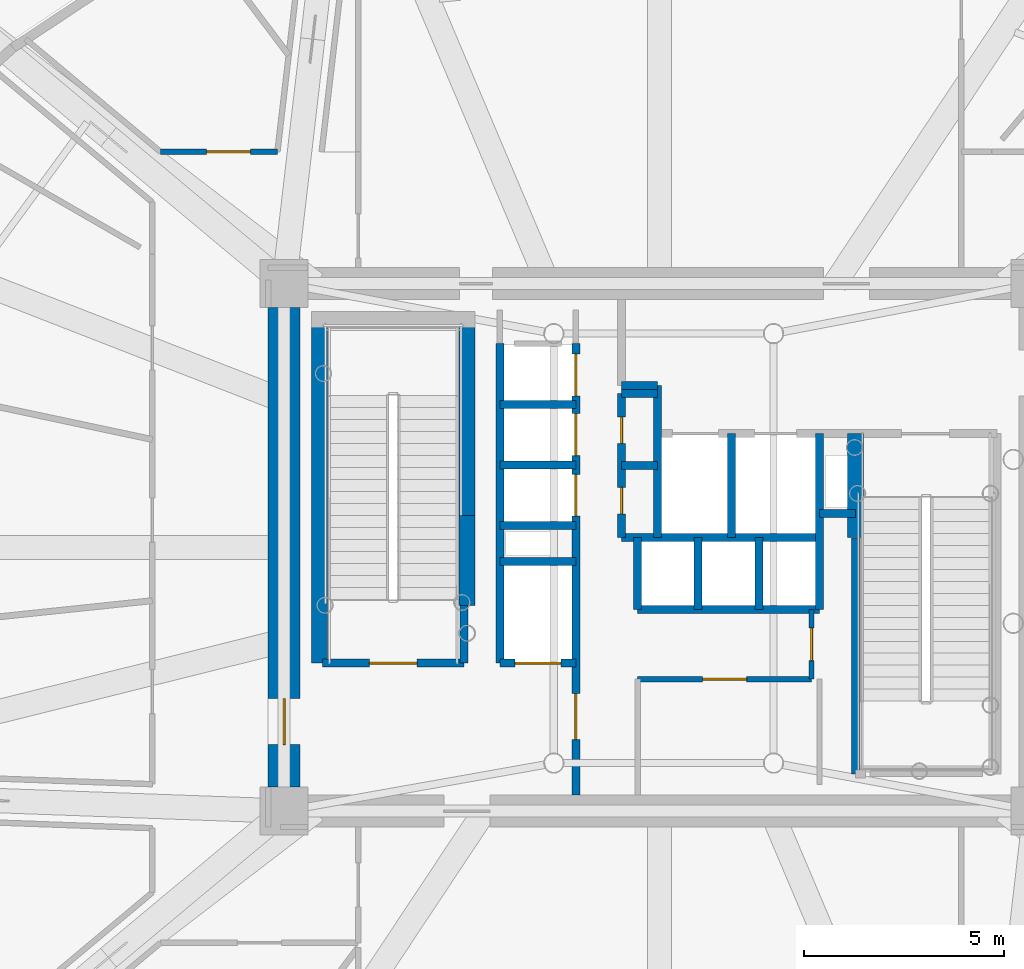
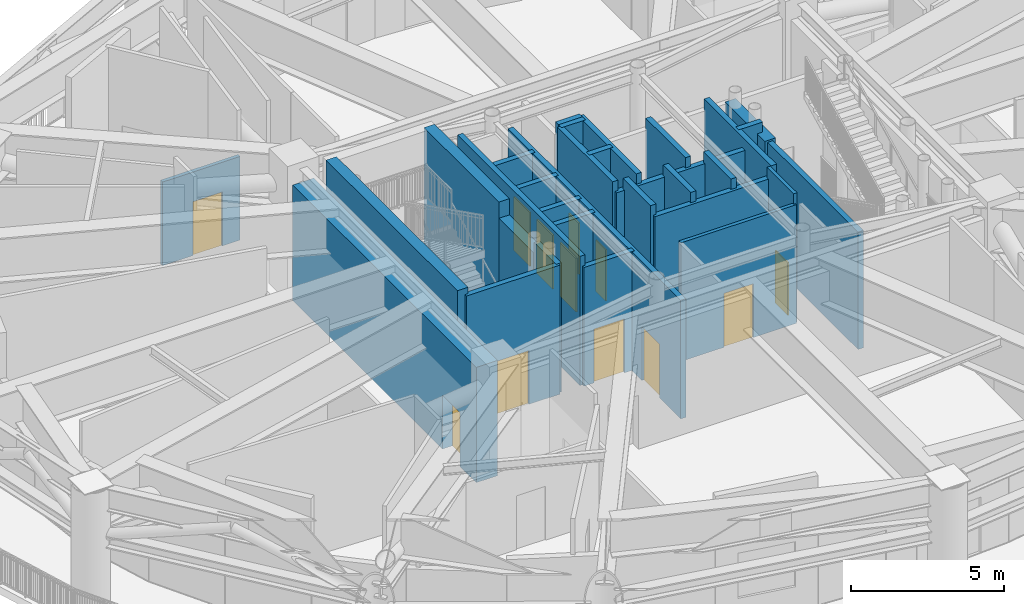
# One storey, part 11 of 20: 31 walls, 12 doors, 12 openings.
"""IFC4 building model written with IfcOpenShell, lengths in metres."""

from ifc_helpers import new_model, si_unit, direction, frame, frame_2d, origin, origin_2d, place, context, subcontext, project, spatial, rectangle, extrude, source, transform, mapped, material, layer, layer_set, type_object, element, fill, save


model = new_model("IFC4")

# Units and contexts
model_context = context("Model", 3, precision=1e-05, world=origin(), true_north=direction((0.0, 1.0)))
body_context = subcontext(model_context, "Body", "Model", "MODEL_VIEW")
ifc_project = project(units=[si_unit("LENGTHUNIT", "METRE"), si_unit("AREAUNIT", "SQUARE_METRE"), si_unit("VOLUMEUNIT", "CUBIC_METRE"), si_unit("PLANEANGLEUNIT", "RADIAN"), si_unit("MASSUNIT", "GRAM", prefix="KILO")], contexts=[model_context])

# Site, building, storey
site_placement = place(None, origin())
site = spatial("IfcSite", under=ifc_project, at=site_placement, CompositionType="ELEMENT")
building_placement = place(site_placement, origin())
building = spatial("IfcBuilding", under=site, at=building_placement, Name="Linh Dai School and Residence Tower", CompositionType="ELEMENT")
storey_placement = place(building_placement, frame((0.0, 0.0, 204.89990234375)))
storey = spatial("IfcBuildingStorey", under=building, at=storey_placement, Name="L50", CompositionType="ELEMENT", Elevation=204.89990234375)

# Wall, opening, door
ifc_material_1 = material(Name="Autoclaved Aerated Concrete Blockwork", Category="masonry")
ifc_layer_1 = layer(ifc_material_1, 0.135009765625)
ifc_layer_set_1 = layer_set([ifc_layer_1], Name="Autoclaved Aerated Concrete Blockwork")
wall_type_1 = type_object("IfcWallType", Name="IW-CORR-135-EI90", PredefinedType="PARTITIONING", material=ifc_layer_set_1)
wall_1_placement = place(storey_placement, frame((23.506103515625, 36.89990234375, 0.0), z_axis=(0.0, 0.0, 1.0), x_axis=(1.0, 0.0, 0.0)))
wall_1 = element("IfcWall", 1, at=wall_1_placement, inside=storey, type_object=wall_type_1, Name="L50 Interior Partition Wall 008", PredefinedType="PARTITIONING", context=body_context, shape_type="SweptSolid", body=[
    extrude(rectangle(XDim=2.9248046875, YDim=0.135009765625, at=frame_2d((1.46240234375, 0.0))), origin(), (0.0, 0.0, 1.0), 3.335205078125),
])
opening_1_placement = place(wall_1_placement, frame((1.150146484375, 0.0, 0.0)))
opening_1 = element("IfcOpeningElement", 2, at=opening_1_placement, cuts=wall_1, Name="Opening D07", PredefinedType="OPENING", context=body_context, shape_type="SweptSolid", body=[
    extrude(rectangle(XDim=1.10009765625, YDim=2.14990234375, at=origin_2d()), frame((0.550048828125, 0.07763671875, 1.074951171875), z_axis=(0.0, -1.0, 0.0), x_axis=(1.0, 0.0, 0.0)), (0.0, 0.0, 1.0), 0.155029296875),
])
ifc_material_2 = material(Name="Fire-Rated Louvred Steel Plant Door", Category="steel")
door_type_1 = type_object("IfcDoorType", Name="DR-PLT-1100x2150-FD60S", OperationType="NOTDEFINED", PredefinedType="DOOR", material=ifc_material_2)
shared_shape_1 = source(origin(), body_context, "Body", "SweptSolid", [
    extrude(rectangle(XDim=1.10009765625, YDim=2.14990234375, at=origin_2d()), frame((0.550048828125, 0.02490234375, 1.074951171875), z_axis=(0.0, -1.0, 0.0), x_axis=(1.0, 0.0, 0.0)), (0.0, 0.0, 1.0), 0.050048828125),
])
door_1_placement = place(opening_1_placement, origin())
door_1 = element("IfcDoor", 3, at=door_1_placement, inside=storey, type_object=door_type_1, Name="L50 Zone LV Switchboard Plant Room Door", OperationType="SINGLE_SWING_RIGHT", OverallHeight=2.14990234375, OverallWidth=1.10009765625, PredefinedType="DOOR", context=body_context, shape_type="MappedRepresentation", body=[
    mapped(shared_shape_1, transform((0.0, 0.0, 0.0), x_axis=(1.0, 0.0, 0.0), y_axis=(0.0, 1.0, 0.0), z_axis=(0.0, 0.0, 1.0), scale=1.0)),
])
fill(opening_1, door_1)

wall_2_placement = place(storey_placement, frame((35.449951171875, 23.699951171875, 0.0), z_axis=(0.0, 0.0, 1.0), x_axis=(1.0, 0.0, 0.0)))
wall_2 = element("IfcWall", 4, at=wall_2_placement, inside=storey, type_object=wall_type_1, Name="L50 Interior Partition Wall 031", PredefinedType="PARTITIONING", context=body_context, shape_type="SweptSolid", body=[
    extrude(rectangle(XDim=4.35009765625, YDim=0.135009765625, at=frame_2d((2.175048828125, 0.0))), origin(), (0.0, 0.0, 1.0), 4.735107421875),
])
opening_2_placement = place(wall_2_placement, frame((1.625, 0.0, 0.0)))
opening_2 = element("IfcOpeningElement", 5, at=opening_2_placement, cuts=wall_2, Name="Opening D07", PredefinedType="OPENING", context=body_context, shape_type="SweptSolid", body=[
    extrude(rectangle(XDim=1.10009765625, YDim=2.14990234375, at=origin_2d()), frame((0.550048828125, 0.07763671875, 1.074951171875), z_axis=(0.0, -1.0, 0.0), x_axis=(1.0, 0.0, 0.0)), (0.0, 0.0, 1.0), 0.155029296875),
])
door_2_placement = place(opening_2_placement, origin())
door_2 = element("IfcDoor", 6, at=door_2_placement, inside=storey, type_object=door_type_1, Name="L50 Tenant Metering and BMS Room Door", OperationType="SINGLE_SWING_LEFT", OverallHeight=2.14990234375, OverallWidth=1.10009765625, PredefinedType="DOOR", context=body_context, shape_type="MappedRepresentation", body=[
    mapped(shared_shape_1, transform((0.0, 0.0, 0.0), x_axis=(1.0, 0.0, 0.0), y_axis=(0.0, 1.0, 0.0), z_axis=(0.0, 0.0, 1.0), scale=1.0)),
])
fill(opening_2, door_2)

wall_3_placement = place(storey_placement, frame((39.800048828125, 23.699951171875, 0.0), z_axis=(0.0, 0.0, 1.0), x_axis=(0.0, 1.0, 0.0)))
wall_3 = element("IfcWall", 7, at=wall_3_placement, inside=storey, type_object=wall_type_1, Name="L50 Interior Partition Wall 039", PredefinedType="PARTITIONING", context=body_context, shape_type="SweptSolid", body=[
    extrude(rectangle(XDim=1.75, YDim=0.135009765625, at=frame_2d((0.875, 0.0))), origin(), (0.0, 0.0, 1.0), 5.150146484375),
])
opening_3_placement = place(wall_3_placement, frame((0.465087890625, 0.0, 0.0)))
opening_3 = element("IfcOpeningElement", 8, at=opening_3_placement, cuts=wall_3, Name="Opening D06", PredefinedType="OPENING", context=body_context, shape_type="SweptSolid", body=[
    extrude(rectangle(XDim=0.820068359375, YDim=2.10009765625, at=origin_2d()), frame((0.41015625, 0.07763671875, 1.050048828125), z_axis=(0.0, -1.0, 0.0), x_axis=(1.0, 0.0, 0.0)), (0.0, 0.0, 1.0), 0.155029296875),
])
ifc_material_3 = material(Name="Moisture-Resistant Timber Bathroom Door", Category="wood")
door_type_2 = type_object("IfcDoorType", Name="DR-WET-820x2100", OperationType="NOTDEFINED", PredefinedType="DOOR", material=ifc_material_3)
shared_shape_2 = source(origin(), body_context, "Body", "SweptSolid", [
    extrude(rectangle(XDim=0.820068359375, YDim=2.10009765625, at=origin_2d()), frame((0.41015625, 0.02490234375, 1.050048828125), z_axis=(0.0, -1.0, 0.0), x_axis=(1.0, 0.0, 0.0)), (0.0, 0.0, 1.0), 0.050048828125),
])
door_3_placement = place(opening_3_placement, origin())
door_3 = element("IfcDoor", 9, at=door_3_placement, inside=storey, type_object=door_type_2, Name="L50 Core Housekeeping Store Door", OperationType="SINGLE_SWING_RIGHT", OverallHeight=2.10009765625, OverallWidth=0.820068359375, PredefinedType="DOOR", context=body_context, shape_type="MappedRepresentation", body=[
    mapped(shared_shape_2, transform((0.0, 0.0, 0.0), x_axis=(1.0, 0.0, 0.0), y_axis=(0.0, 1.0, 0.0), z_axis=(0.0, 0.0, 1.0), scale=1.0)),
])
fill(opening_3, door_3)

ifc_material_4 = material(Name="Concrete B45 (C35/45)", Category="concrete")
ifc_layer_2 = layer(ifc_material_4, 0.199951171875)
ifc_layer_set_2 = layer_set([ifc_layer_2], Name="Concrete B45 (C35/45)")
wall_type_2 = type_object("IfcWallType", Name="IW-SHAFT-200-EI120", PredefinedType="PARTITIONING", material=ifc_layer_set_2)
wall_4_placement = place(storey_placement, frame((27.56005859375, 24.10009765625, 0.0), z_axis=(0.0, 0.0, 1.0), x_axis=(1.0, 0.0, 0.0)))
wall_4 = element("IfcWall", 10, at=wall_4_placement, inside=storey, type_object=wall_type_2, Name="L50 Interior Partition Wall 012", PredefinedType="PARTITIONING", context=body_context, shape_type="SweptSolid", body=[
    extrude(rectangle(XDim=3.5400390625, YDim=0.199951171875, at=frame_2d((1.77001953125, 0.0))), origin(), (0.0, 0.0, 1.0), 5.150146484375),
])
opening_4_placement = place(wall_4_placement, frame((1.169921875, 0.0, 0.0)))
opening_4 = element("IfcOpeningElement", 11, at=opening_4_placement, cuts=wall_4, Name="Opening D01", PredefinedType="OPENING", context=body_context, shape_type="SweptSolid", body=[
    extrude(rectangle(XDim=1.199951171875, YDim=2.14990234375, at=origin_2d()), frame((0.60009765625, 0.10986328125, 1.074951171875), z_axis=(0.0, -1.0, 0.0), x_axis=(1.0, 0.0, 0.0)), (0.0, 0.0, 1.0), 0.219970703125),
])
ifc_material_5 = material(Name="Fire-Rated Steel Door Leaf", Category="steel")
door_type_3 = type_object("IfcDoorType", Name="DR-STAIR-1200x2150-FD90S", OperationType="NOTDEFINED", PredefinedType="DOOR", material=ifc_material_5)
shared_shape_3 = source(origin(), body_context, "Body", "SweptSolid", [
    extrude(rectangle(XDim=1.199951171875, YDim=2.14990234375, at=origin_2d()), frame((0.60009765625, 0.02490234375, 1.074951171875), z_axis=(0.0, -1.0, 0.0), x_axis=(1.0, 0.0, 0.0)), (0.0, 0.0, 1.0), 0.050048828125),
])
door_4_placement = place(opening_4_placement, origin())
door_4 = element("IfcDoor", 12, at=door_4_placement, inside=storey, type_object=door_type_3, Name="L50 Core Smokeproof Exit Stair ST1 Door", OperationType="SINGLE_SWING_LEFT", OverallHeight=2.14990234375, OverallWidth=1.199951171875, PredefinedType="DOOR", context=body_context, shape_type="MappedRepresentation", body=[
    mapped(shared_shape_3, transform((0.0, 0.0, 0.0), x_axis=(1.0, 0.0, 0.0), y_axis=(0.0, 1.0, 0.0), z_axis=(0.0, 0.0, 1.0), scale=1.0)),
])
fill(opening_4, door_4)

# Walls
wall_5_placement = place(storey_placement, frame((31.10009765625, 24.10009765625, 0.0), z_axis=(0.0, 0.0, 1.0), x_axis=(0.0, 1.0, 0.0)))
element("IfcWall", 13, at=wall_5_placement, inside=storey, type_object=wall_type_2, Name="L50 Interior Partition Wall 016", PredefinedType="PARTITIONING", context=body_context, shape_type="SweptSolid", body=[
    extrude(rectangle(XDim=1.43994140625, YDim=0.199951171875, at=frame_2d((0.719970703125, 0.0))), origin(), (0.0, 0.0, 1.0), 5.150146484375),
])
wall_6_placement = place(storey_placement, frame((32.0, 24.10009765625, 0.0), z_axis=(0.0, 0.0, 1.0), x_axis=(0.0, 1.0, 0.0)))
element("IfcWall", 14, at=wall_6_placement, inside=storey, type_object=wall_type_2, Name="L50 Interior Partition Wall 017", PredefinedType="PARTITIONING", context=body_context, shape_type="SweptSolid", body=[
    extrude(rectangle(XDim=8.0, YDim=0.199951171875, at=frame_2d((4.0, 0.0))), origin(), (0.0, 0.0, 1.0), 5.150146484375),
])

# Wall, opening, door
wall_7_placement = place(storey_placement, frame((32.0, 24.10009765625, 0.0), z_axis=(0.0, 0.0, 1.0), x_axis=(1.0, 0.0, 0.0)))
wall_7 = element("IfcWall", 15, at=wall_7_placement, inside=storey, type_object=wall_type_2, Name="L50 Interior Partition Wall 018", PredefinedType="PARTITIONING", context=body_context, shape_type="SweptSolid", body=[
    extrude(rectangle(XDim=1.89990234375, YDim=0.199951171875, at=frame_2d((0.949951171875, 0.0))), origin(), (0.0, 0.0, 1.0), 4.735107421875),
])
opening_5_placement = place(wall_7_placement, frame((0.375, 0.0, 0.0)))
opening_5 = element("IfcOpeningElement", 16, at=opening_5_placement, cuts=wall_7, Name="Opening LD-FF2", PredefinedType="OPENING", context=body_context, shape_type="SweptSolid", body=[
    extrude(rectangle(XDim=1.14990234375, YDim=2.14990234375, at=origin_2d()), frame((0.574951171875, 0.10986328125, 1.074951171875), z_axis=(0.0, -1.0, 0.0), x_axis=(1.0, 0.0, 0.0)), (0.0, 0.0, 1.0), 0.219970703125),
])
ifc_material_6 = material(Name="Fire-Rated Stainless Steel Firefighting Lift Door", Category="steel")
door_type_4 = type_object("IfcDoorType", Name="DR-LD-FF-1150x2150-FD120", OperationType="DOUBLE_DOOR_SLIDING", PredefinedType="USERDEFINED", material=ifc_material_6)
shared_shape_4 = source(origin(), body_context, "Body", "SweptSolid", [
    extrude(rectangle(XDim=1.14990234375, YDim=2.14990234375, at=origin_2d()), frame((0.574951171875, 0.02490234375, 1.074951171875), z_axis=(0.0, -1.0, 0.0), x_axis=(1.0, 0.0, 0.0)), (0.0, 0.0, 1.0), 0.050048828125),
])
door_5_placement = place(opening_5_placement, origin())
door_5 = element("IfcDoor", 17, at=door_5_placement, inside=storey, type_object=door_type_4, Name="L50 Lift FF2 Sliding Landing Door", ObjectType="LANDING DOOR", OperationType="DOUBLE_DOOR_SLIDING", OverallHeight=2.14990234375, OverallWidth=1.14990234375, PredefinedType="USERDEFINED", context=body_context, shape_type="MappedRepresentation", body=[
    mapped(shared_shape_4, transform((0.0, 0.0, 0.0), x_axis=(1.0, 0.0, 0.0), y_axis=(0.0, 1.0, 0.0), z_axis=(0.0, 0.0, 1.0), scale=1.0)),
])
fill(opening_5, door_5)

# Walls
for number, where, z_axis, x_axis, name in (
    (18, (32.0, 26.64990234375, 0.0), (0.0, 0.0, 1.0), (1.0, 0.0, 0.0), "L50 Interior Partition Wall 019"),
    (19, (32.0, 27.550048828125, 0.0), (0.0, 0.0, 1.0), (1.0, 0.0, 0.0), "L50 Interior Partition Wall 020"),
    (20, (32.0, 29.06005859375, 0.0), (0.0, 0.0, 1.0), (1.0, 0.0, 0.0), "L50 Interior Partition Wall 021"),
    (21, (32.0, 30.580078125, 0.0), (0.0, 0.0, 1.0), (1.0, 0.0, 0.0), "L50 Interior Partition Wall 022"),
):
    element("IfcWall", number, at=place(storey_placement, frame(where, z_axis=z_axis, x_axis=x_axis)), inside=storey, type_object=wall_type_2, Name=name, PredefinedType="PARTITIONING", context=body_context, shape_type="SweptSolid", body=[
        extrude(rectangle(XDim=1.89990234375, YDim=0.199951171875, at=frame_2d((0.949951171875, 0.0))), origin(), (0.0, 0.0, 1.0), 4.735107421875),
    ])

# Wall, openings, doors
wall_8_placement = place(storey_placement, frame((33.89990234375, 20.800048828125, 0.0), z_axis=(0.0, 0.0, 1.0), x_axis=(0.0, 1.0, 0.0)))
wall_8 = element("IfcWall", 22, at=wall_8_placement, inside=storey, type_object=wall_type_2, Name="L50 Interior Partition Wall 023", PredefinedType="PARTITIONING", context=body_context, shape_type="SweptSolid", body=[
    extrude(rectangle(XDim=11.300048828125, YDim=0.199951171875, at=frame_2d((5.64990234375, 0.0))), origin(), (0.0, 0.0, 1.0), 4.735107421875),
])
opening_6_placement = place(wall_8_placement, frame((1.387451171875, 0.0, 0.0)))
opening_6 = element("IfcOpeningElement", 23, at=opening_6_placement, cuts=wall_8, Name="Opening D02", PredefinedType="OPENING", context=body_context, shape_type="SweptSolid", body=[
    extrude(rectangle(XDim=1.14990234375, YDim=2.14990234375, at=origin_2d()), frame((0.574951171875, 0.10986328125, 1.074951171875), z_axis=(0.0, -1.0, 0.0), x_axis=(1.0, 0.0, 0.0)), (0.0, 0.0, 1.0), 0.219970703125),
])
opening_7_placement = place(wall_8_placement, frame((6.97998046875, 0.0, 0.0)))
opening_7 = element("IfcOpeningElement", 24, at=opening_7_placement, cuts=wall_8, Name="Opening LD-PL4", PredefinedType="OPENING", context=body_context, shape_type="SweptSolid", body=[
    extrude(rectangle(XDim=1.050048828125, YDim=2.14990234375, at=origin_2d()), frame((0.52490234375, 0.10986328125, 1.074951171875), z_axis=(0.0, -1.0, 0.0), x_axis=(1.0, 0.0, 0.0)), (0.0, 0.0, 1.0), 0.219970703125),
])
opening_8_placement = place(wall_8_placement, frame((8.4951171875, 0.0, 0.0)))
opening_8 = element("IfcOpeningElement", 25, at=opening_8_placement, cuts=wall_8, Name="Opening LD-PL5", PredefinedType="OPENING", context=body_context, shape_type="SweptSolid", body=[
    extrude(rectangle(XDim=1.050048828125, YDim=2.14990234375, at=origin_2d()), frame((0.52490234375, 0.10986328125, 1.074951171875), z_axis=(0.0, -1.0, 0.0), x_axis=(1.0, 0.0, 0.0)), (0.0, 0.0, 1.0), 0.219970703125),
])
opening_9_placement = place(wall_8_placement, frame((9.9951171875, 0.0, 0.0)))
opening_9 = element("IfcOpeningElement", 26, at=opening_9_placement, cuts=wall_8, Name="Opening LD-PL6", PredefinedType="OPENING", context=body_context, shape_type="SweptSolid", body=[
    extrude(rectangle(XDim=1.050048828125, YDim=2.14990234375, at=origin_2d()), frame((0.52490234375, 0.10986328125, 1.074951171875), z_axis=(0.0, -1.0, 0.0), x_axis=(1.0, 0.0, 0.0)), (0.0, 0.0, 1.0), 0.219970703125),
])
ifc_material_7 = material(Name="Fire-Rated Glazed Steel Lobby Door", Category="steel")
door_type_5 = type_object("IfcDoorType", Name="DR-LOBBY-1150x2150-FD90S", OperationType="NOTDEFINED", PredefinedType="DOOR", material=ifc_material_7)
shared_shape_5 = source(origin(), body_context, "Body", "SweptSolid", [
    extrude(rectangle(XDim=1.14990234375, YDim=2.14990234375, at=origin_2d()), frame((0.574951171875, 0.02490234375, 1.074951171875), z_axis=(0.0, -1.0, 0.0), x_axis=(1.0, 0.0, 0.0)), (0.0, 0.0, 1.0), 0.050048828125),
])
door_6_placement = place(opening_6_placement, origin())
door_6 = element("IfcDoor", 27, at=door_6_placement, inside=storey, type_object=door_type_5, Name="L50 Passenger Foyer Access Door", OperationType="SINGLE_SWING_RIGHT", OverallHeight=2.14990234375, OverallWidth=1.14990234375, PredefinedType="DOOR", context=body_context, shape_type="MappedRepresentation", body=[
    mapped(shared_shape_5, transform((0.0, 0.0, 0.0), x_axis=(1.0, 0.0, 0.0), y_axis=(0.0, 1.0, 0.0), z_axis=(0.0, 0.0, 1.0), scale=1.0)),
])
fill(opening_6, door_6)
ifc_material_8 = material(Name="Brushed Stainless Steel Lift Landing Door", Category="steel")
door_type_6 = type_object("IfcDoorType", Name="DR-LD-PASS-1050x2150", OperationType="DOUBLE_DOOR_SLIDING", PredefinedType="USERDEFINED", material=ifc_material_8)
shared_shape_6 = source(origin(), body_context, "Body", "SweptSolid", [
    extrude(rectangle(XDim=1.050048828125, YDim=2.14990234375, at=origin_2d()), frame((0.52490234375, 0.02490234375, 1.074951171875), z_axis=(0.0, -1.0, 0.0), x_axis=(1.0, 0.0, 0.0)), (0.0, 0.0, 1.0), 0.050048828125),
])
door_7_placement = place(opening_7_placement, origin())
door_7 = element("IfcDoor", 28, at=door_7_placement, inside=storey, type_object=door_type_6, Name="L50 Lift PL4 Sliding Landing Door", ObjectType="LANDING DOOR", OperationType="DOUBLE_DOOR_SLIDING", OverallHeight=2.14990234375, OverallWidth=1.050048828125, PredefinedType="USERDEFINED", context=body_context, shape_type="MappedRepresentation", body=[
    mapped(shared_shape_6, transform((0.0, 0.0, 0.0), x_axis=(1.0, 0.0, 0.0), y_axis=(0.0, 1.0, 0.0), z_axis=(0.0, 0.0, 1.0), scale=1.0)),
])
fill(opening_7, door_7)
door_8_placement = place(opening_8_placement, origin())
door_8 = element("IfcDoor", 29, at=door_8_placement, inside=storey, type_object=door_type_6, Name="L50 Lift PL5 Sliding Landing Door", ObjectType="LANDING DOOR", OperationType="DOUBLE_DOOR_SLIDING", OverallHeight=2.14990234375, OverallWidth=1.050048828125, PredefinedType="USERDEFINED", context=body_context, shape_type="MappedRepresentation", body=[
    mapped(shared_shape_6, transform((0.0, 0.0, 0.0), x_axis=(1.0, 0.0, 0.0), y_axis=(0.0, 1.0, 0.0), z_axis=(0.0, 0.0, 1.0), scale=1.0)),
])
fill(opening_8, door_8)
door_9_placement = place(opening_9_placement, origin())
door_9 = element("IfcDoor", 30, at=door_9_placement, inside=storey, type_object=door_type_6, Name="L50 Lift PL6 Sliding Landing Door", ObjectType="LANDING DOOR", OperationType="DOUBLE_DOOR_SLIDING", OverallHeight=2.14990234375, OverallWidth=1.050048828125, PredefinedType="USERDEFINED", context=body_context, shape_type="MappedRepresentation", body=[
    mapped(shared_shape_6, transform((0.0, 0.0, 0.0), x_axis=(1.0, 0.0, 0.0), y_axis=(0.0, 1.0, 0.0), z_axis=(0.0, 0.0, 1.0), scale=1.0)),
])
fill(opening_9, door_9)

wall_9_placement = place(storey_placement, frame((35.050048828125, 27.25, 0.0), z_axis=(0.0, 0.0, 1.0), x_axis=(0.0, 1.0, 0.0)))
wall_9 = element("IfcWall", 31, at=wall_9_placement, inside=storey, type_object=wall_type_2, Name="L50 Interior Partition Wall 024", PredefinedType="PARTITIONING", context=body_context, shape_type="SweptSolid", body=[
    extrude(rectangle(XDim=3.60009765625, YDim=0.199951171875, at=frame_2d((1.800048828125, 0.0))), origin(), (0.0, 0.0, 1.0), 5.150146484375),
])
opening_10_placement = place(wall_9_placement, frame((0.590087890625, 0.0, 0.0)))
opening_10 = element("IfcOpeningElement", 32, at=opening_10_placement, cuts=wall_9, Name="Opening AD1", PredefinedType="OPENING", context=body_context, shape_type="SweptSolid", body=[
    extrude(rectangle(XDim=0.659912109375, YDim=2.050048828125, at=origin_2d()), frame((0.330078125, 0.10986328125, 1.02490234375), z_axis=(0.0, -1.0, 0.0), x_axis=(1.0, 0.0, 0.0)), (0.0, 0.0, 1.0), 0.219970703125),
])
opening_11_placement = place(wall_9_placement, frame((2.35009765625, 0.0, 0.0)))
opening_11 = element("IfcOpeningElement", 33, at=opening_11_placement, cuts=wall_9, Name="Opening AD1", PredefinedType="OPENING", context=body_context, shape_type="SweptSolid", body=[
    extrude(rectangle(XDim=0.659912109375, YDim=2.050048828125, at=origin_2d()), frame((0.330078125, 0.10986328125, 1.02490234375), z_axis=(0.0, -1.0, 0.0), x_axis=(1.0, 0.0, 0.0)), (0.0, 0.0, 1.0), 0.219970703125),
])
ifc_material_9 = material(Name="Fire-Rated Steel Riser Access Door", Category="steel")
door_type_7 = type_object("IfcDoorType", Name="DR-ACC-660x2050-FD90S", OperationType="NOTDEFINED", PredefinedType="USERDEFINED", material=ifc_material_9)
shared_shape_7 = source(origin(), body_context, "Body", "SweptSolid", [
    extrude(rectangle(XDim=0.659912109375, YDim=2.050048828125, at=origin_2d()), frame((0.330078125, 0.02490234375, 1.02490234375), z_axis=(0.0, -1.0, 0.0), x_axis=(1.0, 0.0, 0.0)), (0.0, 0.0, 1.0), 0.050048828125),
])
door_10_placement = place(opening_10_placement, origin())
door_10 = element("IfcDoor", 34, at=door_10_placement, inside=storey, type_object=door_type_7, Name="L50 Telecom and Data Riser Access Door", ObjectType="ACCESS DOOR", OperationType="SINGLE_SWING_LEFT", OverallHeight=2.050048828125, OverallWidth=0.659912109375, PredefinedType="USERDEFINED", context=body_context, shape_type="MappedRepresentation", body=[
    mapped(shared_shape_7, transform((0.0, 0.0, 0.0), x_axis=(1.0, 0.0, 0.0), y_axis=(0.0, 1.0, 0.0), z_axis=(0.0, 0.0, 1.0), scale=1.0)),
])
fill(opening_10, door_10)
door_11_placement = place(opening_11_placement, origin())
door_11 = element("IfcDoor", 35, at=door_11_placement, inside=storey, type_object=door_type_7, Name="L50 Mechanical and Plumbing Riser Access Door", ObjectType="ACCESS DOOR", OperationType="SINGLE_SWING_RIGHT", OverallHeight=2.050048828125, OverallWidth=0.659912109375, PredefinedType="USERDEFINED", context=body_context, shape_type="MappedRepresentation", body=[
    mapped(shared_shape_7, transform((0.0, 0.0, 0.0), x_axis=(1.0, 0.0, 0.0), y_axis=(0.0, 1.0, 0.0), z_axis=(0.0, 0.0, 1.0), scale=1.0)),
])
fill(opening_11, door_11)

# Walls
wall_10_placement = place(storey_placement, frame((35.050048828125, 27.25, 0.0), z_axis=(0.0, 0.0, 1.0), x_axis=(1.0, 0.0, 0.0)))
element("IfcWall", 36, at=wall_10_placement, inside=storey, type_object=wall_type_2, Name="L50 Interior Partition Wall 025", PredefinedType="PARTITIONING", context=body_context, shape_type="SweptSolid", body=[
    extrude(rectangle(XDim=4.949951171875, YDim=0.199951171875, at=frame_2d((2.47509765625, 0.0))), origin(), (0.0, 0.0, 1.0), 4.735107421875),
])
for number, where, z_axis, x_axis, name in (
    (37, (35.050048828125, 29.050048828125, 0.0), (0.0, 0.0, 1.0), (1.0, 0.0, 0.0), "L50 Interior Partition Wall 026"),
    (38, (35.050048828125, 30.85009765625, 0.0), (0.0, 0.0, 1.0), (1.0, 0.0, 0.0), "L50 Interior Partition Wall 027"),
    (39, (35.050048828125, 31.050048828125, 0.0), (0.0, 0.0, 1.0), (1.0, 0.0, 0.0), "L50 Interior Partition Wall 029"),
):
    element("IfcWall", number, at=place(storey_placement, frame(where, z_axis=z_axis, x_axis=x_axis)), inside=storey, type_object=wall_type_2, Name=name, PredefinedType="PARTITIONING", context=body_context, shape_type="SweptSolid", body=[
        extrude(rectangle(XDim=0.89990234375, YDim=0.199951171875, at=frame_2d((0.449951171875, 0.0))), origin(), (0.0, 0.0, 1.0), 5.150146484375),
    ])
wall_11_placement = place(storey_placement, frame((35.449951171875, 25.449951171875, 0.0), z_axis=(0.0, 0.0, 1.0), x_axis=(0.0, 1.0, 0.0)))
element("IfcWall", 40, at=wall_11_placement, inside=storey, type_object=wall_type_2, Name="L50 Interior Partition Wall 032", PredefinedType="PARTITIONING", context=body_context, shape_type="SweptSolid", body=[
    extrude(rectangle(XDim=1.800048828125, YDim=0.199951171875, at=frame_2d((0.89990234375, 0.0))), origin(), (0.0, 0.0, 1.0), 5.150146484375),
])
wall_12_placement = place(storey_placement, frame((35.449951171875, 25.449951171875, 0.0), z_axis=(0.0, 0.0, 1.0), x_axis=(1.0, 0.0, 0.0)))
element("IfcWall", 41, at=wall_12_placement, inside=storey, type_object=wall_type_2, Name="L50 Interior Partition Wall 033", PredefinedType="PARTITIONING", context=body_context, shape_type="SweptSolid", body=[
    extrude(rectangle(XDim=4.550048828125, YDim=0.199951171875, at=frame_2d((2.27490234375, 0.0))), origin(), (0.0, 0.0, 1.0), 4.735107421875),
])
wall_13_placement = place(storey_placement, frame((35.949951171875, 27.25, 0.0), z_axis=(0.0, 0.0, 1.0), x_axis=(0.0, 1.0, 0.0)))
element("IfcWall", 42, at=wall_13_placement, inside=storey, type_object=wall_type_2, Name="L50 Interior Partition Wall 034", PredefinedType="PARTITIONING", context=body_context, shape_type="SweptSolid", body=[
    extrude(rectangle(XDim=3.800048828125, YDim=0.199951171875, at=frame_2d((1.89990234375, 0.0))), origin(), (0.0, 0.0, 1.0), 5.150146484375),
])
wall_14_placement = place(storey_placement, frame((36.9599609375, 25.449951171875, 0.0), z_axis=(0.0, 0.0, 1.0), x_axis=(0.0, 1.0, 0.0)))
element("IfcWall", 43, at=wall_14_placement, inside=storey, type_object=wall_type_2, Name="L50 Interior Partition Wall 036", PredefinedType="PARTITIONING", context=body_context, shape_type="SweptSolid", body=[
    extrude(rectangle(XDim=1.800048828125, YDim=0.199951171875, at=frame_2d((0.89990234375, 0.0))), origin(), (0.0, 0.0, 1.0), 5.150146484375),
])
wall_15_placement = place(storey_placement, frame((37.800048828125, 27.25, 0.0), z_axis=(0.0, 0.0, 1.0), x_axis=(0.0, 1.0, 0.0)))
element("IfcWall", 44, at=wall_15_placement, inside=storey, type_object=wall_type_2, Name="L50 Interior Partition Wall 037", PredefinedType="PARTITIONING", context=body_context, shape_type="SweptSolid", body=[
    extrude(rectangle(XDim=2.60009765625, YDim=0.199951171875, at=frame_2d((1.300048828125, 0.0))), origin(), (0.0, 0.0, 1.0), 5.150146484375),
])
wall_16_placement = place(storey_placement, frame((38.47998046875, 25.449951171875, 0.0), z_axis=(0.0, 0.0, 1.0), x_axis=(0.0, 1.0, 0.0)))
element("IfcWall", 45, at=wall_16_placement, inside=storey, type_object=wall_type_2, Name="L50 Interior Partition Wall 038", PredefinedType="PARTITIONING", context=body_context, shape_type="SweptSolid", body=[
    extrude(rectangle(XDim=1.800048828125, YDim=0.199951171875, at=frame_2d((0.89990234375, 0.0))), origin(), (0.0, 0.0, 1.0), 5.150146484375),
])
wall_17_placement = place(storey_placement, frame((40.0, 25.449951171875, 0.0), z_axis=(0.0, 0.0, 1.0), x_axis=(0.0, 1.0, 0.0)))
element("IfcWall", 46, at=wall_17_placement, inside=storey, type_object=wall_type_2, Name="L50 Interior Partition Wall 040", PredefinedType="PARTITIONING", context=body_context, shape_type="SweptSolid", body=[
    extrude(rectangle(XDim=4.400146484375, YDim=0.199951171875, at=frame_2d((2.2001953125, 0.0))), origin(), (0.0, 0.0, 1.0), 5.150146484375),
])
wall_18_placement = place(storey_placement, frame((40.0, 27.85009765625, 0.0), z_axis=(0.0, 0.0, 1.0), x_axis=(1.0, 0.0, 0.0)))
element("IfcWall", 47, at=wall_18_placement, inside=storey, type_object=wall_type_2, Name="L50 Interior Partition Wall 041", PredefinedType="PARTITIONING", context=body_context, shape_type="SweptSolid", body=[
    extrude(rectangle(XDim=0.89990234375, YDim=0.199951171875, at=frame_2d((0.449951171875, 0.0))), origin(), (0.0, 0.0, 1.0), 5.150146484375),
])
wall_19_placement = place(storey_placement, frame((40.89990234375, 21.330078125, 0.0), z_axis=(0.0, 0.0, 1.0), x_axis=(0.0, 1.0, 0.0)))
element("IfcWall", 48, at=wall_19_placement, inside=storey, type_object=wall_type_2, Name="L50 Interior Partition Wall 042", PredefinedType="PARTITIONING", context=body_context, shape_type="SweptSolid", body=[
    extrude(rectangle(XDim=5.909912109375, YDim=0.199951171875, at=frame_2d((2.955078125, 0.0))), origin(), (0.0, 0.0, 1.0), 4.68505859375),
])
ifc_layer_3 = layer(ifc_material_4, 0.39990234375)
ifc_layer_set_3 = layer_set([ifc_layer_3], Name="Concrete B45 (C35/45)")
wall_type_3 = type_object("IfcWallType", Name="WL-CORE400", PredefinedType="SHEAR", material=ifc_layer_set_3)
wall_20_placement = place(storey_placement, frame((27.47998046875, 24.10009765625, 0.0), z_axis=(0.0, 0.0, 1.0), x_axis=(0.0, 1.0, 0.0)))
element("IfcWall", 49, at=wall_20_placement, inside=storey, type_object=wall_type_3, Name="L50 Core Stair ST1 Bearing Wall W", PredefinedType="SHEAR", context=body_context, shape_type="SweptSolid", body=[
    extrude(rectangle(XDim=8.599853515625, YDim=0.39990234375, at=frame_2d((4.2998046875, 0.0))), origin(), (0.0, 0.0, 1.0), 5.400146484375),
])
wall_21_placement = place(storey_placement, frame((31.179931640625, 27.800048828125, 0.0), z_axis=(0.0, 0.0, 1.0), x_axis=(0.0, 1.0, 0.0)))
element("IfcWall", 50, at=wall_21_placement, inside=storey, type_object=wall_type_3, Name="L50 Core Stair ST1 Bearing Wall E", PredefinedType="SHEAR", context=body_context, shape_type="SweptSolid", body=[
    extrude(rectangle(XDim=4.89990234375, YDim=0.39990234375, at=frame_2d((2.449951171875, 0.0))), origin(), (0.0, 0.0, 1.0), 5.400146484375),
])
wall_22_placement = place(storey_placement, frame((31.179931640625, 25.550048828125, 0.0), z_axis=(0.0, 0.0, 1.0), x_axis=(0.0, 1.0, 0.0)))
element("IfcWall", 51, at=wall_22_placement, inside=storey, type_object=wall_type_3, Name="L50 Internal Core Shear Wall IW", PredefinedType="SHEAR", context=body_context, shape_type="SweptSolid", body=[
    extrude(rectangle(XDim=2.25, YDim=0.39990234375, at=frame_2d((1.125, 0.0))), origin(), (0.0, 0.0, 1.0), 4.75),
])
wall_23_placement = place(storey_placement, frame((40.89990234375, 27.25, 0.0), z_axis=(0.0, 0.0, 1.0), x_axis=(0.0, 1.0, 0.0)))
element("IfcWall", 52, at=wall_23_placement, inside=storey, type_object=wall_type_3, Name="L50 Internal Core Shear Wall IE", PredefinedType="SHEAR", context=body_context, shape_type="SweptSolid", body=[
    extrude(rectangle(XDim=2.60009765625, YDim=0.39990234375, at=frame_2d((1.300048828125, 0.0))), origin(), (0.0, 0.0, 1.0), 4.75),
])

# Wall, opening, door
ifc_material_10 = material(Name="Concrete B60 (C50/60)", Category="concrete")
ifc_layer_4 = layer(ifc_material_10, 0.800048828125)
ifc_layer_set_4 = layer_set([ifc_layer_4], Name="Concrete B60 (C50/60)")
wall_type_4 = type_object("IfcWallType", Name="WL-CORE800", PredefinedType="SHEAR", material=ifc_layer_set_4)
wall_24_placement = place(storey_placement, frame((26.60009765625, 21.0, 0.0), z_axis=(0.0, 0.0, 1.0), x_axis=(0.0, 1.0, 0.0)))
wall_24 = element("IfcWall", 53, at=wall_24_placement, inside=storey, type_object=wall_type_4, Name="L50 Central Core Shear Wall W", PredefinedType="SHEAR", context=body_context, shape_type="SweptSolid", body=[
    extrude(rectangle(XDim=12.0, YDim=0.800048828125, at=frame_2d((6.0, 0.0))), origin(), (0.0, 0.0, 1.0), 4.60009765625),
])
opening_12_placement = place(wall_24_placement, frame((1.061279296875, 0.0, 0.0)))
opening_12 = element("IfcOpeningElement", 54, at=opening_12_placement, cuts=wall_24, Name="Opening D02", PredefinedType="OPENING", context=body_context, shape_type="SweptSolid", body=[
    extrude(rectangle(XDim=1.14990234375, YDim=2.14990234375, at=origin_2d()), frame((0.574951171875, 0.41015625, 1.074951171875), z_axis=(0.0, -1.0, 0.0), x_axis=(1.0, 0.0, 0.0)), (0.0, 0.0, 1.0), 0.820068359375),
])
door_12_placement = place(opening_12_placement, origin())
door_12 = element("IfcDoor", 55, at=door_12_placement, inside=storey, type_object=door_type_5, Name="L50 Firefighting Lobby Door", OperationType="SINGLE_SWING_LEFT", OverallHeight=2.14990234375, OverallWidth=1.14990234375, PredefinedType="DOOR", context=body_context, shape_type="MappedRepresentation", body=[
    mapped(shared_shape_5, transform((0.0, 0.0, 0.0), x_axis=(1.0, 0.0, 0.0), y_axis=(0.0, 1.0, 0.0), z_axis=(0.0, 0.0, 1.0), scale=1.0)),
])
fill(opening_12, door_12)

save(model, "model.ifc")
